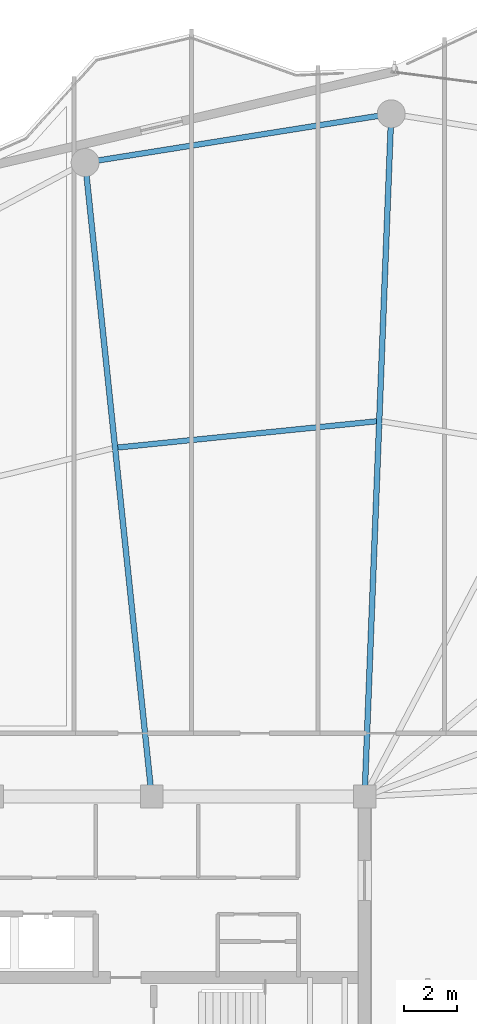
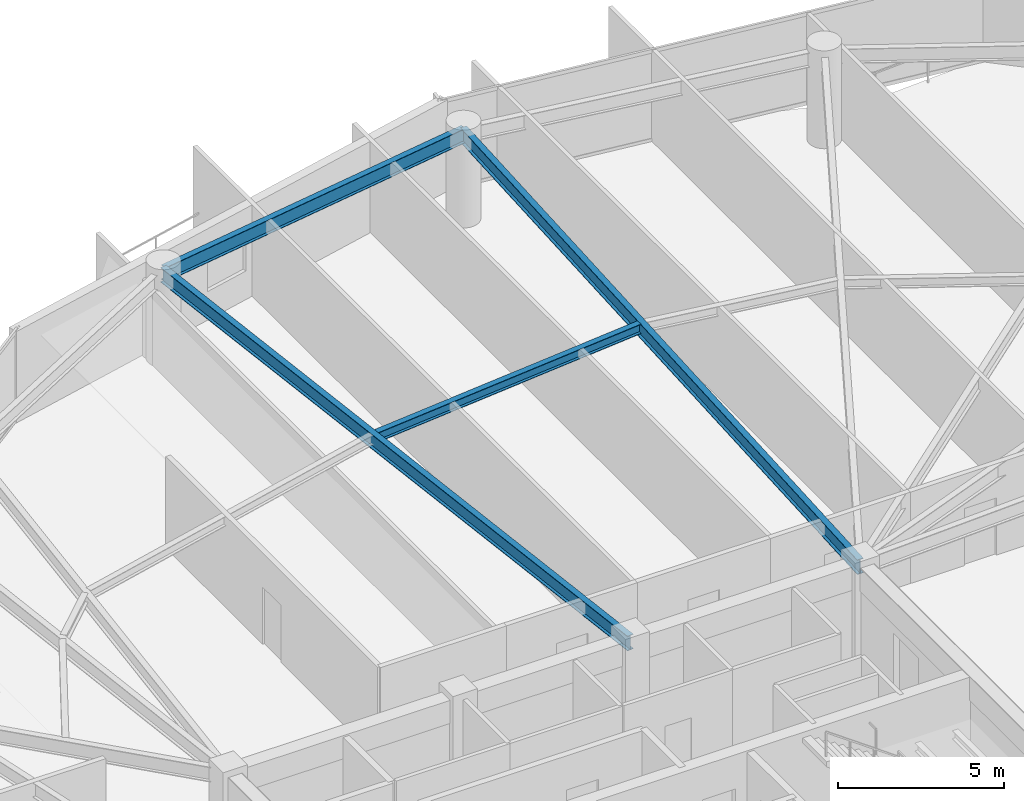
# One storey, part 19 of 30: 4 beams.
"""IFC4 building model written with IfcOpenShell, lengths in metres."""

from ifc_helpers import new_model, si_unit, direction, frame, origin, origin_2d, place, context, subcontext, project, spatial, i_section, extrude, material, material_profile, profile_set, type_object, element, save


model = new_model("IFC4")

# Units and contexts
model_context = context("Model", 3, precision=1e-05, world=origin(), true_north=direction((0.0, 1.0)))
body_context = subcontext(model_context, "Body", "Model", "MODEL_VIEW")
ifc_project = project(units=[si_unit("LENGTHUNIT", "METRE"), si_unit("AREAUNIT", "SQUARE_METRE"), si_unit("VOLUMEUNIT", "CUBIC_METRE"), si_unit("PLANEANGLEUNIT", "RADIAN"), si_unit("MASSUNIT", "GRAM", prefix="KILO")], contexts=[model_context])

# Site, building, storey
site_placement = place(None, origin())
site = spatial("IfcSite", under=ifc_project, at=site_placement, CompositionType="ELEMENT")
building_placement = place(site_placement, origin())
building = spatial("IfcBuilding", under=site, at=building_placement, Name="Kazevale Care Tower and Concert Hall", CompositionType="ELEMENT")
storey_placement = place(building_placement, frame((0.0, 0.0, 242.39990234375)))
storey = spatial("IfcBuildingStorey", under=building, at=storey_placement, Name="L64", CompositionType="ELEMENT", Elevation=242.39990234375)

# Beams
ifc_material = material(Name="Steel ASTM A572 Gr 50", Category="steel")
ifc_material_profile_1 = material_profile(ifc_material, i_section(OverallWidth=0.2119140625, OverallDepth=0.5439453125, WebThickness=0.01318359375, FlangeThickness=0.021240234375, at=origin_2d()), Name="W530x123")
ifc_profile_set_1 = profile_set([ifc_material_profile_1], Name="Steel ASTM A572 Gr 50")
beam_type_1 = type_object("IfcBeamType", Name="Radial Floor Girder W530x123", PredefinedType="BEAM", material=ifc_profile_set_1)
beam_1_placement = place(storey_placement, frame((44.0, 36.39990234375, 3.088134765625), z_axis=(0.03895653799, 0.999240905962, 0.0), x_axis=(-0.999240905962, 0.03895653799, 0.0)))
element("IfcBeam", 1, at=beam_1_placement, inside=storey, type_object=beam_type_1, Name="beam:L64:rad:05", PredefinedType="BEAM", context=body_context, shape_type="SweptSolid", body=[
    extrude(i_section(OverallWidth=0.2119140625, OverallDepth=0.5439453125, WebThickness=0.01318359375, FlangeThickness=0.021240234375, at=origin_2d()), origin(), (0.0, 0.0, 1.0), 25.669677734375),
])
beam_2_placement = place(storey_placement, frame((36.0, 36.39990234375, 3.088134765625), z_axis=(-0.104380207012, 0.994537466556, 0.0), x_axis=(-0.994537466556, -0.104380207012, 0.0)))
element("IfcBeam", 2, at=beam_2_placement, inside=storey, type_object=beam_type_1, Name="beam:L64:rad:06", PredefinedType="BEAM", context=body_context, shape_type="SweptSolid", body=[
    extrude(i_section(OverallWidth=0.2119140625, OverallDepth=0.5439453125, WebThickness=0.01318359375, FlangeThickness=0.021240234375, at=origin_2d()), origin(), (0.0, 0.0, 1.0), 23.950927734375),
])
ifc_material_profile_2 = material_profile(ifc_material, i_section(OverallWidth=0.205078125, OverallDepth=0.35400390625, WebThickness=0.009521484375, FlangeThickness=0.016845703125, at=origin_2d()), Name="W360x79")
ifc_profile_set_2 = profile_set([ifc_material_profile_2], Name="Steel ASTM A572 Gr 50")
beam_type_2 = type_object("IfcBeamType", Name="Secondary Floor Joist W360x79", PredefinedType="JOIST", material=ifc_profile_set_2)
beam_3_placement = place(storey_placement, frame((44.446044921875, 50.4970703125, 3.18310546875), z_axis=(-0.994900388447, -0.10086236696, 0.0), x_axis=(0.10086236696, -0.994900388447, 0.0)))
element("IfcBeam", 3, at=beam_3_placement, inside=storey, type_object=beam_type_2, Name="beam:L64:joist:05", PredefinedType="JOIST", context=body_context, shape_type="SweptSolid", body=[
    extrude(i_section(OverallWidth=0.205078125, OverallDepth=0.35400390625, WebThickness=0.009521484375, FlangeThickness=0.016845703125, at=origin_2d()), origin(), (0.0, 0.0, 1.0), 9.766845703125),
])
ifc_material_profile_3 = material_profile(ifc_material, i_section(OverallWidth=0.208984375, OverallDepth=0.532958984375, WebThickness=0.01025390625, FlangeThickness=0.015625, at=origin_2d()), Name="W530x92")
ifc_profile_set_3 = profile_set([ifc_material_profile_3], Name="Steel ASTM A572 Gr 50")
beam_type_3 = type_object("IfcBeamType", Name="Upper Ring Beam W530x92", PredefinedType="BEAM", material=ifc_profile_set_3)
beam_4_placement = place(storey_placement, frame((45.0, 62.050048828125, 3.093505859375), z_axis=(-0.987573207584, -0.15715966296, 0.0), x_axis=(0.15715966296, -0.987573207584, 0.0)))
element("IfcBeam", 4, at=beam_4_placement, inside=storey, type_object=beam_type_3, Name="beam:L64:ring:05", PredefinedType="BEAM", context=body_context, shape_type="SweptSolid", body=[
    extrude(i_section(OverallWidth=0.208984375, OverallDepth=0.532958984375, WebThickness=0.01025390625, FlangeThickness=0.015625, at=origin_2d()), origin(), (0.0, 0.0, 1.0), 11.644775390625),
])

save(model, "model.ifc")
